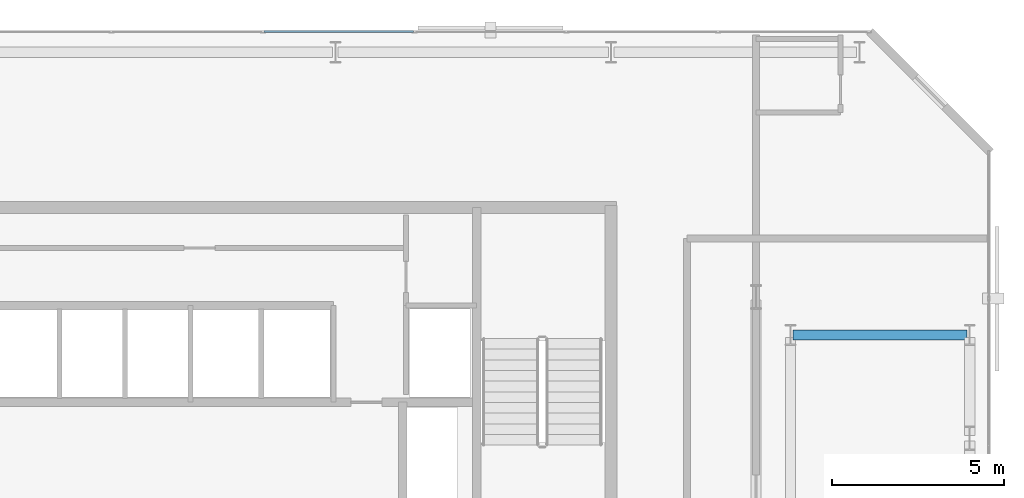
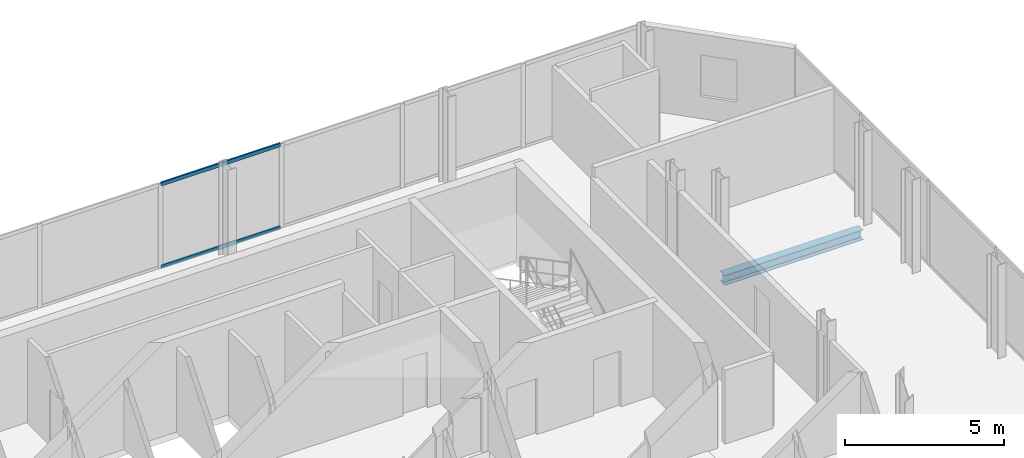
# One storey, part 23 of 32: 2 members, 1 beam, 1 element without a shape of its own.
"""IFC4 building model written with IfcOpenShell, lengths in metres."""

from ifc_helpers import new_model, si_unit, direction, frame, origin, origin_2d, place, context, subcontext, project, spatial, hollow_rectangle, i_section, extrude, material, layer, layer_set, material_profile, profile_set, type_object, element, aggregate, save


model = new_model("IFC4")

# Units and contexts
model_context = context("Model", 3, precision=1e-05, world=origin(), true_north=direction((0.0, 1.0)))
body_context = subcontext(model_context, "Body", "Model", "MODEL_VIEW")
ifc_project = project(units=[si_unit("LENGTHUNIT", "METRE"), si_unit("AREAUNIT", "SQUARE_METRE"), si_unit("VOLUMEUNIT", "CUBIC_METRE"), si_unit("PLANEANGLEUNIT", "RADIAN"), si_unit("MASSUNIT", "GRAM", prefix="KILO")], contexts=[model_context])

# Site, building, storey
site_placement = place(None, origin())
site = spatial("IfcSite", under=ifc_project, at=site_placement, CompositionType="ELEMENT")
building_placement = place(site_placement, origin())
building = spatial("IfcBuilding", under=site, at=building_placement, Name="Catumbela Crestline Tower", CompositionType="ELEMENT")
storey_placement = place(building_placement, frame((0.0, 0.0, 140.4)))
storey = spatial("IfcBuildingStorey", under=building, at=storey_placement, Name="L36", CompositionType="ELEMENT", Elevation=140.4)

# Beam
ifc_material_1 = material(Name="Structural steel S355J2", Category="steel")
ifc_material_profile_1 = material_profile(ifc_material_1, i_section(OverallWidth=0.3, OverallDepth=0.39, WebThickness=0.011, FlangeThickness=0.019, FilletRadius=0.027, at=origin_2d()), Name="HEA 400")
ifc_profile_set_1 = profile_set([ifc_material_profile_1], Name="Structural steel S355J2")
beam_type = type_object("IfcBeamType", Name="BG-HEA400", PredefinedType="BEAM", material=ifc_profile_set_1)
beam_placement = place(storey_placement, frame((45.28, 39.2, -0.455), z_axis=(1.0, 0.0, 0.0), x_axis=(0.0, 1.0, 0.0)))
element("IfcBeam", 1, at=beam_placement, inside=storey, type_object=beam_type, Name="L36 Beam BM-L36-N16", PredefinedType="BEAM", context=body_context, shape_type="SweptSolid", body=[
    extrude(i_section(OverallWidth=0.3, OverallDepth=0.39, WebThickness=0.011, FlangeThickness=0.019, FilletRadius=0.027, at=origin_2d()), origin(), (0.0, 0.0, 1.0), 5.04),
])

# Curtain wall, members
ifc_material_2 = material(Name="Aluminium alloy AW-6060-T66", Category="aluminium")
ifc_layer = layer(ifc_material_2, 0.18, Name="Aluminium alloy AW-6060-T66")
ifc_layer_set = layer_set([ifc_layer], Name="Aluminium alloy AW-6060-T66")
curtain_wall_type = type_object("IfcCurtainWallType", Name="CWU-Z2", PredefinedType="USERDEFINED", material=ifc_layer_set)
curtain_wall_placement = place(storey_placement, origin())
curtain_wall = element("IfcCurtainWall", 2, at=curtain_wall_placement, inside=storey, type_object=curtain_wall_type, Name="L36 Unitised Curtain Wall CW-L36-E7S1", ObjectType="UNITISED", PredefinedType="USERDEFINED")
ifc_material_profile_2 = material_profile(ifc_material_2, hollow_rectangle(XDim=0.06, YDim=0.14, WallThickness=0.004, at=origin_2d()), Name="ALU 140x60x4")
ifc_profile_set_2 = profile_set([ifc_material_profile_2], Name="Aluminium alloy AW-6060-T66")
member_type = type_object("IfcMemberType", Name="TRN-140X60", PredefinedType="USERDEFINED", material=ifc_profile_set_2)
member_1_placement = place(storey_placement, frame((34.2675, 48.0, 0.03), z_axis=(-1.0, 0.0, 0.0), x_axis=(0.0, -1.0, 0.0)))
member_1 = element("IfcMember", 3, at=member_1_placement, type_object=member_type, Name="CWU-Z2 transom 4.1", ObjectType="TRANSOM", PredefinedType="USERDEFINED", context=body_context, shape_type="SweptSolid", body=[
    extrude(hollow_rectangle(XDim=0.06, YDim=0.14, WallThickness=0.004, at=origin_2d()), origin(), (0.0, 0.0, 1.0), 4.335),
])
member_2_placement = place(storey_placement, frame((34.2675, 48.0, 3.21), z_axis=(-1.0, 0.0, 0.0), x_axis=(0.0, -1.0, 0.0)))
member_2 = element("IfcMember", 4, at=member_2_placement, type_object=member_type, Name="CWU-Z2 transom 4.2", ObjectType="TRANSOM", PredefinedType="USERDEFINED", context=body_context, shape_type="SweptSolid", body=[
    extrude(hollow_rectangle(XDim=0.06, YDim=0.14, WallThickness=0.004, at=origin_2d()), origin(), (0.0, 0.0, 1.0), 4.335),
])
aggregate(curtain_wall, [member_1, member_2])

save(model, "model.ifc")
